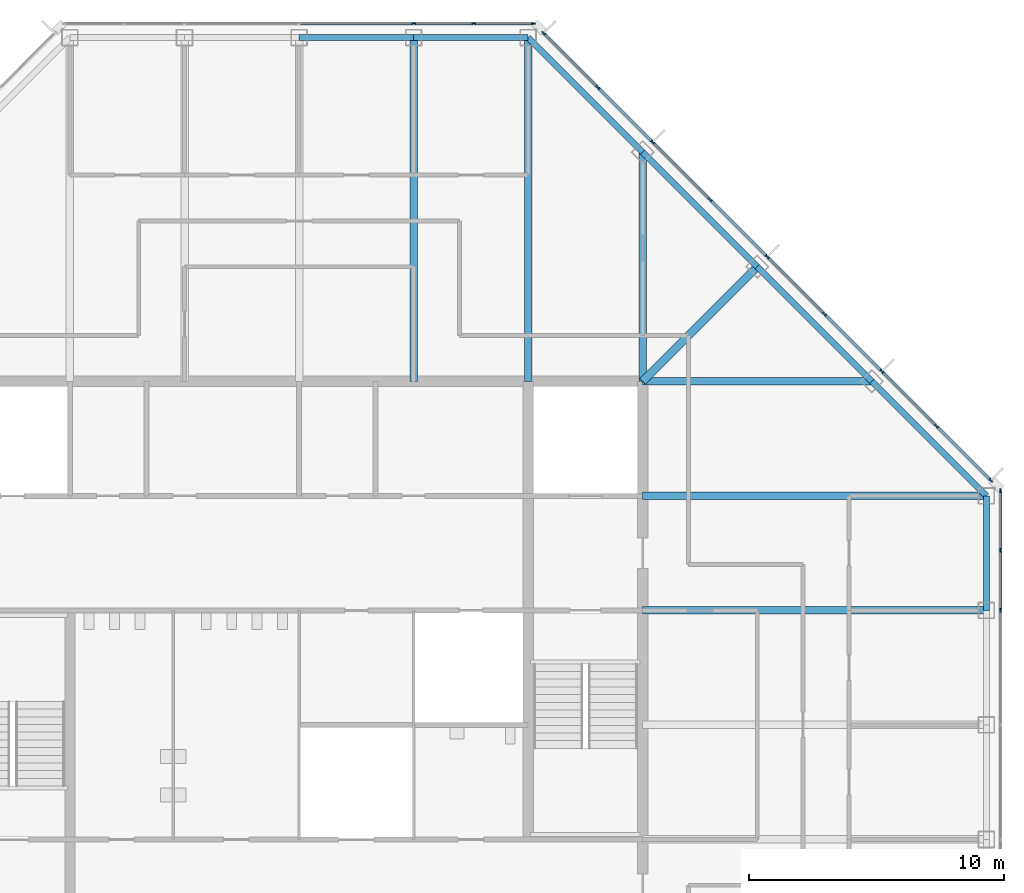
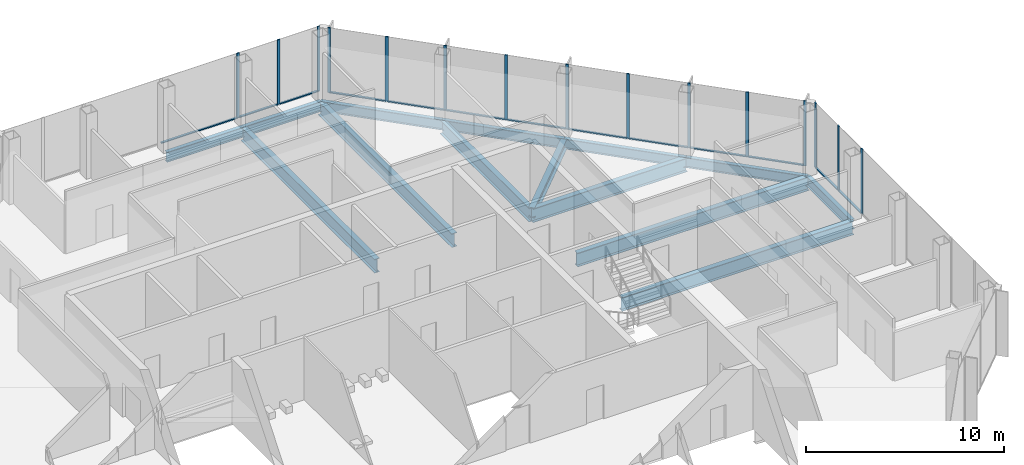
# One storey, part 7 of 14: 28 members, 14 beams, 3 elements without a shape of their own.
"""IFC4 building model written with IfcOpenShell, lengths in metres."""

from ifc_helpers import new_model, si_unit, direction, frame, origin, origin_2d, place, context, subcontext, project, spatial, rectangle, i_section, extrude, material, material_profile, profile_set, type_object, element, aggregate, save


model = new_model("IFC4")

# Units and contexts
model_context = context("Model", 3, precision=1e-05, world=origin(), true_north=direction((0.0, 1.0)))
body_context = subcontext(model_context, "Body", "Model", "MODEL_VIEW")
ifc_project = project(units=[si_unit("LENGTHUNIT", "METRE"), si_unit("AREAUNIT", "SQUARE_METRE"), si_unit("VOLUMEUNIT", "CUBIC_METRE"), si_unit("PLANEANGLEUNIT", "RADIAN"), si_unit("MASSUNIT", "GRAM", prefix="KILO")], contexts=[model_context])

# Site, building, storey
site_placement = place(None, origin())
site = spatial("IfcSite", under=ifc_project, at=site_placement, CompositionType="ELEMENT")
building_placement = place(site_placement, origin())
building = spatial("IfcBuilding", under=site, at=building_placement, Name="Corais Broadcast Tower", CompositionType="ELEMENT")
storey_placement = place(building_placement, frame((0.0, 0.0, 218.60009765625)))
storey = spatial("IfcBuildingStorey", under=building, at=storey_placement, Name="L50", CompositionType="ELEMENT", Elevation=218.60009765625)

# Beams
ifc_material_1 = material(Name="Steel ASTM A572 Grade 50", Category="steel")
ifc_material_profile_1 = material_profile(ifc_material_1, i_section(OverallWidth=0.323974609375, OverallDepth=0.611083984375, WebThickness=0.0126953125, FlangeThickness=0.01904296875, at=origin_2d()), Name="W610x155")
ifc_profile_set_1 = profile_set([ifc_material_profile_1], Name="Steel ASTM A572 Grade 50")
beam_type_1 = type_object("IfcBeamType", Name="Corner diagonal W610x155", PredefinedType="BEAM", material=ifc_profile_set_1)
beam_1_placement = place(storey_placement, frame((45.0, 45.0, -0.465576171875), z_axis=(-0.707106781187, -0.707106781187, 0.0), x_axis=(0.707106781187, -0.707106781187, 0.0)))
element("IfcBeam", 1, at=beam_1_placement, inside=storey, type_object=beam_type_1, Name="B6 L/13 to K/12", PredefinedType="BEAM", context=body_context, shape_type="SweptSolid", body=[
    extrude(i_section(OverallWidth=0.323974609375, OverallDepth=0.611083984375, WebThickness=0.0126953125, FlangeThickness=0.01904296875, at=origin_2d()), origin(), (0.0, 0.0, 1.0), 6.364013671875),
])
ifc_material_2 = material(Name="Steel ASTM A572 Grade 50", Category="steel")
ifc_material_profile_2 = material_profile(ifc_material_2, i_section(OverallWidth=0.2939453125, OverallDepth=0.85107421875, WebThickness=0.01611328125, FlangeThickness=0.02685546875, at=origin_2d()), Name="W840x226")
ifc_profile_set_2 = profile_set([ifc_material_profile_2], Name="Steel ASTM A572 Grade 50")
beam_type_2 = type_object("IfcBeamType", Name="Floor beam W840x226", PredefinedType="BEAM", material=ifc_profile_set_2)
for number, where, z_axis, x_axis, name in (
    (2, (31.5, 54.0, -0.585693359375), (0.0, -1.0, 0.0), (1.0, 0.0, 0.0), "B1 N/10 to K/10"),
    (3, (36.0, 54.0, -0.585693359375), (0.0, -1.0, 0.0), (1.0, 0.0, 0.0), "B1 N/11 to K/11"),
):
    element("IfcBeam", number, at=place(storey_placement, frame(where, z_axis=z_axis, x_axis=x_axis)), inside=storey, type_object=beam_type_2, Name=name, PredefinedType="BEAM", context=body_context, shape_type="SweptSolid", body=[
        extrude(i_section(OverallWidth=0.2939453125, OverallDepth=0.85107421875, WebThickness=0.01611328125, FlangeThickness=0.02685546875, at=origin_2d()), origin(), (0.0, 0.0, 1.0), 13.5),
    ])
for number, where, z_axis, x_axis, name in (
    (4, (40.5, 49.5, -0.585693359375), (0.0, -1.0, 0.0), (1.0, 0.0, 0.0), "B1 M/12 to K/12"),
    (5, (49.5, 40.5, -0.585693359375), (-1.0, 0.0, 0.0), (0.0, -1.0, 0.0), "B1 K/14 to K/12"),
):
    element("IfcBeam", number, at=place(storey_placement, frame(where, z_axis=z_axis, x_axis=x_axis)), inside=storey, type_object=beam_type_2, Name=name, PredefinedType="BEAM", context=body_context, shape_type="SweptSolid", body=[
        extrude(i_section(OverallWidth=0.2939453125, OverallDepth=0.85107421875, WebThickness=0.01611328125, FlangeThickness=0.02685546875, at=origin_2d()), origin(), (0.0, 0.0, 1.0), 9.0),
    ])
for number, where, z_axis, x_axis, name in (
    (6, (54.0, 31.5, -0.585693359375), (-1.0, 0.0, 0.0), (0.0, -1.0, 0.0), "B1 H/15 to H/12"),
    (7, (54.0, 36.0, -0.585693359375), (-1.0, 0.0, 0.0), (0.0, -1.0, 0.0), "B1 J/15 to J/12"),
):
    element("IfcBeam", number, at=place(storey_placement, frame(where, z_axis=z_axis, x_axis=x_axis)), inside=storey, type_object=beam_type_2, Name=name, PredefinedType="BEAM", context=body_context, shape_type="SweptSolid", body=[
        extrude(i_section(OverallWidth=0.2939453125, OverallDepth=0.85107421875, WebThickness=0.01611328125, FlangeThickness=0.02685546875, at=origin_2d()), origin(), (0.0, 0.0, 1.0), 13.5),
    ])

# Curtain wall, members
ifc_material_3 = material(Name="Aluminium and glass", Category="aluminium")
curtain_wall_type = type_object("IfcCurtainWallType", Name="Unitised fritted curtain wall CW3", PredefinedType="NOTDEFINED", material=ifc_material_3)
curtain_wall_1_placement = place(storey_placement, origin())
curtain_wall_1 = element("IfcCurtainWall", 8, at=curtain_wall_1_placement, inside=storey, type_object=curtain_wall_type, Name="CW3 curtain wall L50 4", PredefinedType="NOTDEFINED")
ifc_material_4 = material(Name="Aluminium 6063-T6", Category="aluminium")
ifc_material_profile_3 = material_profile(ifc_material_4, rectangle(XDim=0.06494140625, YDim=0.159912109375, at=origin_2d()), Name="Mullion CW3 65x160")
ifc_profile_set_3 = profile_set([ifc_material_profile_3], Name="Aluminium 6063-T6")
member_type_1 = type_object("IfcMemberType", Name="Mullion CW3 65x160", PredefinedType="MULLION", material=ifc_profile_set_3)
member_1_placement = place(storey_placement, frame((31.5, 54.550048828125, 0.0), z_axis=(0.0, 0.0, 1.0), x_axis=(0.0, 1.0, 0.0)))
member_1 = element("IfcMember", 9, at=member_1_placement, type_object=member_type_1, Name="CW3 mullion 5", PredefinedType="MULLION", context=body_context, shape_type="SweptSolid", body=[
    extrude(rectangle(XDim=0.06494140625, YDim=0.159912109375, at=origin_2d()), origin(), (0.0, 0.0, 1.0), 4.0),
])
member_2_placement = place(storey_placement, frame((33.864013671875, 54.550048828125, 0.0), z_axis=(0.0, 0.0, 1.0), x_axis=(0.0, 1.0, 0.0)))
member_2 = element("IfcMember", 10, at=member_2_placement, type_object=member_type_1, Name="CW3 mullion 6", PredefinedType="MULLION", context=body_context, shape_type="SweptSolid", body=[
    extrude(rectangle(XDim=0.06494140625, YDim=0.159912109375, at=origin_2d()), origin(), (0.0, 0.0, 1.0), 4.0),
])
member_3_placement = place(storey_placement, frame((36.1953125, 54.550048828125, 0.0), z_axis=(0.0, 0.0, 1.0), x_axis=(0.0, 1.0, 0.0)))
member_3 = element("IfcMember", 11, at=member_3_placement, type_object=member_type_1, Name="CW3 mullion 7", PredefinedType="MULLION", context=body_context, shape_type="SweptSolid", body=[
    extrude(rectangle(XDim=0.06494140625, YDim=0.159912109375, at=origin_2d()), origin(), (0.0, 0.0, 1.0), 4.0),
])

curtain_wall_2_placement = place(storey_placement, origin())
curtain_wall_2 = element("IfcCurtainWall", 12, at=curtain_wall_2_placement, inside=storey, type_object=curtain_wall_type, Name="CW3 curtain wall L50 5", PredefinedType="NOTDEFINED")
member_4_placement = place(storey_placement, frame((36.6044921875, 54.17333984375, 0.0), z_axis=(0.0, 0.0, 1.0), x_axis=(0.707106781187, 0.707106781187, 0.0)))
member_4 = element("IfcMember", 13, at=member_4_placement, type_object=member_type_1, Name="CW3 mullion 1", PredefinedType="MULLION", context=body_context, shape_type="SweptSolid", body=[
    extrude(rectangle(XDim=0.06494140625, YDim=0.159912109375, at=origin_2d()), origin(), (0.0, 0.0, 1.0), 4.0),
])
member_5_placement = place(storey_placement, frame((38.735107421875, 52.042724609375, 0.0), z_axis=(0.0, 0.0, 1.0), x_axis=(0.707106781187, 0.707106781187, 0.0)))
member_5 = element("IfcMember", 14, at=member_5_placement, type_object=member_type_1, Name="CW3 mullion 2", PredefinedType="MULLION", context=body_context, shape_type="SweptSolid", body=[
    extrude(rectangle(XDim=0.06494140625, YDim=0.159912109375, at=origin_2d()), origin(), (0.0, 0.0, 1.0), 4.0),
])
member_6_placement = place(storey_placement, frame((40.888916015625, 49.888916015625, 0.0), z_axis=(0.0, 0.0, 1.0), x_axis=(0.707106781187, 0.707106781187, 0.0)))
member_6 = element("IfcMember", 15, at=member_6_placement, type_object=member_type_1, Name="CW3 mullion 3", PredefinedType="MULLION", context=body_context, shape_type="SweptSolid", body=[
    extrude(rectangle(XDim=0.06494140625, YDim=0.159912109375, at=origin_2d()), origin(), (0.0, 0.0, 1.0), 4.0),
])
member_7_placement = place(storey_placement, frame((43.138916015625, 47.638916015625, 0.0), z_axis=(0.0, 0.0, 1.0), x_axis=(0.707106781187, 0.707106781187, 0.0)))
member_7 = element("IfcMember", 16, at=member_7_placement, type_object=member_type_1, Name="CW3 mullion 4", PredefinedType="MULLION", context=body_context, shape_type="SweptSolid", body=[
    extrude(rectangle(XDim=0.06494140625, YDim=0.159912109375, at=origin_2d()), origin(), (0.0, 0.0, 1.0), 4.0),
])
member_8_placement = place(storey_placement, frame((45.388916015625, 45.388916015625, 0.0), z_axis=(0.0, 0.0, 1.0), x_axis=(0.707106781187, 0.707106781187, 0.0)))
member_8 = element("IfcMember", 17, at=member_8_placement, type_object=member_type_1, Name="CW3 mullion 5", PredefinedType="MULLION", context=body_context, shape_type="SweptSolid", body=[
    extrude(rectangle(XDim=0.06494140625, YDim=0.159912109375, at=origin_2d()), origin(), (0.0, 0.0, 1.0), 4.0),
])
member_9_placement = place(storey_placement, frame((47.638916015625, 43.138916015625, 0.0), z_axis=(0.0, 0.0, 1.0), x_axis=(0.707106781187, 0.707106781187, 0.0)))
member_9 = element("IfcMember", 18, at=member_9_placement, type_object=member_type_1, Name="CW3 mullion 6", PredefinedType="MULLION", context=body_context, shape_type="SweptSolid", body=[
    extrude(rectangle(XDim=0.06494140625, YDim=0.159912109375, at=origin_2d()), origin(), (0.0, 0.0, 1.0), 4.0),
])
member_10_placement = place(storey_placement, frame((49.888916015625, 40.888916015625, 0.0), z_axis=(0.0, 0.0, 1.0), x_axis=(0.707106781187, 0.707106781187, 0.0)))
member_10 = element("IfcMember", 19, at=member_10_placement, type_object=member_type_1, Name="CW3 mullion 7", PredefinedType="MULLION", context=body_context, shape_type="SweptSolid", body=[
    extrude(rectangle(XDim=0.06494140625, YDim=0.159912109375, at=origin_2d()), origin(), (0.0, 0.0, 1.0), 4.0),
])
member_11_placement = place(storey_placement, frame((52.042724609375, 38.735107421875, 0.0), z_axis=(0.0, 0.0, 1.0), x_axis=(0.707106781187, 0.707106781187, 0.0)))
member_11 = element("IfcMember", 20, at=member_11_placement, type_object=member_type_1, Name="CW3 mullion 8", PredefinedType="MULLION", context=body_context, shape_type="SweptSolid", body=[
    extrude(rectangle(XDim=0.06494140625, YDim=0.159912109375, at=origin_2d()), origin(), (0.0, 0.0, 1.0), 4.0),
])
member_12_placement = place(storey_placement, frame((54.17333984375, 36.6044921875, 0.0), z_axis=(0.0, 0.0, 1.0), x_axis=(0.707106781187, 0.707106781187, 0.0)))
member_12 = element("IfcMember", 21, at=member_12_placement, type_object=member_type_1, Name="CW3 mullion 9", PredefinedType="MULLION", context=body_context, shape_type="SweptSolid", body=[
    extrude(rectangle(XDim=0.06494140625, YDim=0.159912109375, at=origin_2d()), origin(), (0.0, 0.0, 1.0), 4.0),
])

curtain_wall_3_placement = place(storey_placement, origin())
curtain_wall_3 = element("IfcCurtainWall", 22, at=curtain_wall_3_placement, inside=storey, type_object=curtain_wall_type, Name="CW3 curtain wall L50 6", PredefinedType="NOTDEFINED")
member_13_placement = place(storey_placement, frame((54.550048828125, 36.1953125, 0.0), z_axis=(0.0, 0.0, 1.0), x_axis=(1.0, 0.0, 0.0)))
member_13 = element("IfcMember", 23, at=member_13_placement, type_object=member_type_1, Name="CW3 mullion 1", PredefinedType="MULLION", context=body_context, shape_type="SweptSolid", body=[
    extrude(rectangle(XDim=0.06494140625, YDim=0.159912109375, at=origin_2d()), origin(), (0.0, 0.0, 1.0), 4.0),
])
member_14_placement = place(storey_placement, frame((54.550048828125, 33.864013671875, 0.0), z_axis=(0.0, 0.0, 1.0), x_axis=(1.0, 0.0, 0.0)))
member_14 = element("IfcMember", 24, at=member_14_placement, type_object=member_type_1, Name="CW3 mullion 2", PredefinedType="MULLION", context=body_context, shape_type="SweptSolid", body=[
    extrude(rectangle(XDim=0.06494140625, YDim=0.159912109375, at=origin_2d()), origin(), (0.0, 0.0, 1.0), 4.0),
])
member_15_placement = place(storey_placement, frame((54.550048828125, 31.5, 0.0), z_axis=(0.0, 0.0, 1.0), x_axis=(1.0, 0.0, 0.0)))
member_15 = element("IfcMember", 25, at=member_15_placement, type_object=member_type_1, Name="CW3 mullion 3", PredefinedType="MULLION", context=body_context, shape_type="SweptSolid", body=[
    extrude(rectangle(XDim=0.06494140625, YDim=0.159912109375, at=origin_2d()), origin(), (0.0, 0.0, 1.0), 4.0),
])

# Beams
ifc_material_5 = material(Name="Steel ASTM A572 Grade 50", Category="steel")
ifc_material_profile_4 = material_profile(ifc_material_5, i_section(OverallWidth=0.22998046875, OverallDepth=0.616943359375, WebThickness=0.01318359375, FlangeThickness=0.022216796875, at=origin_2d()), Name="W610x140")
ifc_profile_set_4 = profile_set([ifc_material_profile_4], Name="Steel ASTM A572 Grade 50")
beam_type_3 = type_object("IfcBeamType", Name="Spandrel W610x140", PredefinedType="BEAM", material=ifc_profile_set_4)
for number, where, z_axis, x_axis, name in (
    (26, (31.5, 54.0, -0.468505859375), (-1.0, 0.0, 0.0), (0.0, -1.0, 0.0), "SB3 N/10 to N/9"),
    (27, (36.0, 54.0, -0.468505859375), (-1.0, 0.0, 0.0), (0.0, -1.0, 0.0), "SB3 N/11 to N/10"),
):
    element("IfcBeam", number, at=place(storey_placement, frame(where, z_axis=z_axis, x_axis=x_axis)), inside=storey, type_object=beam_type_3, Name=name, PredefinedType="BEAM", context=body_context, shape_type="SweptSolid", body=[
        extrude(i_section(OverallWidth=0.22998046875, OverallDepth=0.616943359375, WebThickness=0.01318359375, FlangeThickness=0.022216796875, at=origin_2d()), origin(), (0.0, 0.0, 1.0), 4.5),
    ])
for number, where, z_axis, x_axis, name in (
    (28, (40.5, 49.5, -0.468505859375), (-0.707106781187, 0.707106781187, 0.0), (-0.707106781187, -0.707106781187, 0.0), "SB3 M/12 to N/11"),
    (29, (45.0, 45.0, -0.468505859375), (-0.707106781187, 0.707106781187, 0.0), (-0.707106781187, -0.707106781187, 0.0), "SB3 L/13 to M/12"),
    (30, (49.5, 40.5, -0.468505859375), (-0.707106781187, 0.707106781187, 0.0), (-0.707106781187, -0.707106781187, 0.0), "SB3 K/14 to L/13"),
):
    element("IfcBeam", number, at=place(storey_placement, frame(where, z_axis=z_axis, x_axis=x_axis)), inside=storey, type_object=beam_type_3, Name=name, PredefinedType="BEAM", context=body_context, shape_type="SweptSolid", body=[
        extrude(i_section(OverallWidth=0.22998046875, OverallDepth=0.616943359375, WebThickness=0.01318359375, FlangeThickness=0.022216796875, at=origin_2d()), origin(), (0.0, 0.0, 1.0), 6.364013671875),
    ])
beam_2_placement = place(storey_placement, frame((54.0, 31.5, -0.468505859375), z_axis=(0.0, 1.0, 0.0), x_axis=(-1.0, 0.0, 0.0)))
element("IfcBeam", 31, at=beam_2_placement, inside=storey, type_object=beam_type_3, Name="SB3 H/15 to J/15", PredefinedType="BEAM", context=body_context, shape_type="SweptSolid", body=[
    extrude(i_section(OverallWidth=0.22998046875, OverallDepth=0.616943359375, WebThickness=0.01318359375, FlangeThickness=0.022216796875, at=origin_2d()), origin(), (0.0, 0.0, 1.0), 4.5),
])
beam_3_placement = place(storey_placement, frame((54.0, 36.0, -0.468505859375), z_axis=(-0.707106781187, 0.707106781187, 0.0), x_axis=(-0.707106781187, -0.707106781187, 0.0)))
element("IfcBeam", 32, at=beam_3_placement, inside=storey, type_object=beam_type_3, Name="SB3 J/15 to K/14", PredefinedType="BEAM", context=body_context, shape_type="SweptSolid", body=[
    extrude(i_section(OverallWidth=0.22998046875, OverallDepth=0.616943359375, WebThickness=0.01318359375, FlangeThickness=0.022216796875, at=origin_2d()), origin(), (0.0, 0.0, 1.0), 6.364013671875),
])

# Member
ifc_material_6 = material(Name="Aluminium 6063-T6", Category="aluminium")
ifc_material_profile_5 = material_profile(ifc_material_6, rectangle(XDim=0.1201171875, YDim=0.06494140625, at=origin_2d()), Name="Transom CW3 65x120")
ifc_profile_set_5 = profile_set([ifc_material_profile_5], Name="Aluminium 6063-T6")
member_type_2 = type_object("IfcMemberType", Name="Transom CW3 65x120", PredefinedType="USERDEFINED", material=ifc_profile_set_5)
member_16_placement = place(storey_placement, frame((27.032470703125, 54.550048828125, 0.032470703125), z_axis=(1.0, 0.0, 0.0), x_axis=(0.0, 1.0, 0.0)))
member_16 = element("IfcMember", 33, at=member_16_placement, type_object=member_type_2, Name="CW3 transom 4.1", ObjectType="TRANSOM", PredefinedType="USERDEFINED", context=body_context, shape_type="SweptSolid", body=[
    extrude(rectangle(XDim=0.1201171875, YDim=0.06494140625, at=origin_2d()), origin(), (0.0, 0.0, 1.0), 4.43505859375),
])

member_17_placement = place(storey_placement, frame((31.532470703125, 54.550048828125, 0.032470703125), z_axis=(1.0, 0.0, 0.0), x_axis=(0.0, 1.0, 0.0)))
member_17 = element("IfcMember", 34, at=member_17_placement, type_object=member_type_2, Name="CW3 transom 5.1", ObjectType="TRANSOM", PredefinedType="USERDEFINED", context=body_context, shape_type="SweptSolid", body=[
    extrude(rectangle(XDim=0.1201171875, YDim=0.06494140625, at=origin_2d()), origin(), (0.0, 0.0, 1.0), 2.298828125),
])

member_18_placement = place(storey_placement, frame((33.896484375, 54.550048828125, 0.032470703125), z_axis=(1.0, 0.0, 0.0), x_axis=(0.0, 1.0, 0.0)))
member_18 = element("IfcMember", 35, at=member_18_placement, type_object=member_type_2, Name="CW3 transom 6.1", ObjectType="TRANSOM", PredefinedType="USERDEFINED", context=body_context, shape_type="SweptSolid", body=[
    extrude(rectangle(XDim=0.1201171875, YDim=0.06494140625, at=origin_2d()), origin(), (0.0, 0.0, 1.0), 2.266357421875),
])

aggregate(curtain_wall_1, [member_1, member_2, member_3, member_16, member_17, member_18])

member_19_placement = place(storey_placement, frame((36.62744140625, 54.150390625, 0.032470703125), z_axis=(0.707106781187, -0.707106781187, 0.0), x_axis=(0.707106781187, 0.707106781187, 0.0)))
member_19 = element("IfcMember", 36, at=member_19_placement, type_object=member_type_2, Name="CW3 transom 1.1", ObjectType="TRANSOM", PredefinedType="USERDEFINED", context=body_context, shape_type="SweptSolid", body=[
    extrude(rectangle(XDim=0.1201171875, YDim=0.06494140625, at=origin_2d()), origin(), (0.0, 0.0, 1.0), 2.9482421875),
])

member_20_placement = place(storey_placement, frame((38.758056640625, 52.019775390625, 0.032470703125), z_axis=(0.707106781187, -0.707106781187, 0.0), x_axis=(0.707106781187, 0.707106781187, 0.0)))
member_20 = element("IfcMember", 37, at=member_20_placement, type_object=member_type_2, Name="CW3 transom 2.1", ObjectType="TRANSOM", PredefinedType="USERDEFINED", context=body_context, shape_type="SweptSolid", body=[
    extrude(rectangle(XDim=0.1201171875, YDim=0.06494140625, at=origin_2d()), origin(), (0.0, 0.0, 1.0), 2.98095703125),
])

member_21_placement = place(storey_placement, frame((40.911865234375, 49.865966796875, 0.032470703125), z_axis=(0.707106781187, -0.707106781187, 0.0), x_axis=(0.707106781187, 0.707106781187, 0.0)))
member_21 = element("IfcMember", 38, at=member_21_placement, type_object=member_type_2, Name="CW3 transom 3.1", ObjectType="TRANSOM", PredefinedType="USERDEFINED", context=body_context, shape_type="SweptSolid", body=[
    extrude(rectangle(XDim=0.1201171875, YDim=0.06494140625, at=origin_2d()), origin(), (0.0, 0.0, 1.0), 3.1171875),
])

member_22_placement = place(storey_placement, frame((43.161865234375, 47.615966796875, 0.032470703125), z_axis=(0.707106781187, -0.707106781187, 0.0), x_axis=(0.707106781187, 0.707106781187, 0.0)))
member_22 = element("IfcMember", 39, at=member_22_placement, type_object=member_type_2, Name="CW3 transom 4.1", ObjectType="TRANSOM", PredefinedType="USERDEFINED", context=body_context, shape_type="SweptSolid", body=[
    extrude(rectangle(XDim=0.1201171875, YDim=0.06494140625, at=origin_2d()), origin(), (0.0, 0.0, 1.0), 3.1171875),
])

member_23_placement = place(storey_placement, frame((45.411865234375, 45.365966796875, 0.032470703125), z_axis=(0.707106781187, -0.707106781187, 0.0), x_axis=(0.707106781187, 0.707106781187, 0.0)))
member_23 = element("IfcMember", 40, at=member_23_placement, type_object=member_type_2, Name="CW3 transom 5.1", ObjectType="TRANSOM", PredefinedType="USERDEFINED", context=body_context, shape_type="SweptSolid", body=[
    extrude(rectangle(XDim=0.1201171875, YDim=0.06494140625, at=origin_2d()), origin(), (0.0, 0.0, 1.0), 3.1171875),
])

member_24_placement = place(storey_placement, frame((47.661865234375, 43.115966796875, 0.032470703125), z_axis=(0.707106781187, -0.707106781187, 0.0), x_axis=(0.707106781187, 0.707106781187, 0.0)))
member_24 = element("IfcMember", 41, at=member_24_placement, type_object=member_type_2, Name="CW3 transom 6.1", ObjectType="TRANSOM", PredefinedType="USERDEFINED", context=body_context, shape_type="SweptSolid", body=[
    extrude(rectangle(XDim=0.1201171875, YDim=0.06494140625, at=origin_2d()), origin(), (0.0, 0.0, 1.0), 3.1171875),
])

member_25_placement = place(storey_placement, frame((49.911865234375, 40.865966796875, 0.032470703125), z_axis=(0.707065828661, -0.70714773134, 0.0), x_axis=(0.70714773134, 0.707065828661, 0.0)))
member_25 = element("IfcMember", 42, at=member_25_placement, type_object=member_type_2, Name="CW3 transom 7.1", ObjectType="TRANSOM", PredefinedType="USERDEFINED", context=body_context, shape_type="SweptSolid", body=[
    extrude(rectangle(XDim=0.1201171875, YDim=0.06494140625, at=origin_2d()), origin(), (0.0, 0.0, 1.0), 2.98095703125),
])

member_26_placement = place(storey_placement, frame((52.065673828125, 38.712158203125, 0.032470703125), z_axis=(0.707106781187, -0.707106781187, 0.0), x_axis=(0.707106781187, 0.707106781187, 0.0)))
member_26 = element("IfcMember", 43, at=member_26_placement, type_object=member_type_2, Name="CW3 transom 8.1", ObjectType="TRANSOM", PredefinedType="USERDEFINED", context=body_context, shape_type="SweptSolid", body=[
    extrude(rectangle(XDim=0.1201171875, YDim=0.06494140625, at=origin_2d()), origin(), (0.0, 0.0, 1.0), 2.9482421875),
])

aggregate(curtain_wall_2, [member_4, member_5, member_6, member_7, member_8, member_9, member_10, member_11, member_12, member_19, member_20, member_21, member_22, member_23, member_24, member_25, member_26])

member_27_placement = place(storey_placement, frame((54.550048828125, 36.162841796875, 0.032470703125), z_axis=(0.0, -1.0, 0.0), x_axis=(1.0, 0.0, 0.0)))
member_27 = element("IfcMember", 44, at=member_27_placement, type_object=member_type_2, Name="CW3 transom 1.1", ObjectType="TRANSOM", PredefinedType="USERDEFINED", context=body_context, shape_type="SweptSolid", body=[
    extrude(rectangle(XDim=0.1201171875, YDim=0.06494140625, at=origin_2d()), origin(), (0.0, 0.0, 1.0), 2.266357421875),
])

member_28_placement = place(storey_placement, frame((54.550048828125, 33.831298828125, 0.032470703125), z_axis=(0.0, -1.0, 0.0), x_axis=(1.0, 0.0, 0.0)))
member_28 = element("IfcMember", 45, at=member_28_placement, type_object=member_type_2, Name="CW3 transom 2.1", ObjectType="TRANSOM", PredefinedType="USERDEFINED", context=body_context, shape_type="SweptSolid", body=[
    extrude(rectangle(XDim=0.1201171875, YDim=0.06494140625, at=origin_2d()), origin(), (0.0, 0.0, 1.0), 2.298828125),
])

aggregate(curtain_wall_3, [member_13, member_14, member_15, member_27, member_28])

save(model, "model.ifc")
